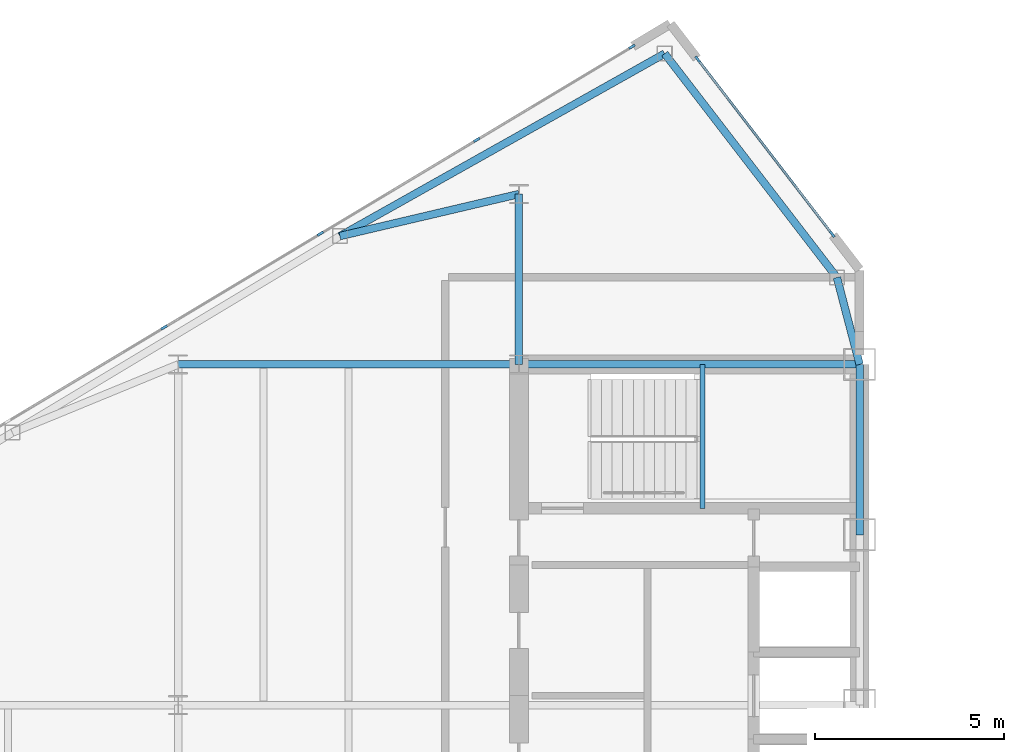
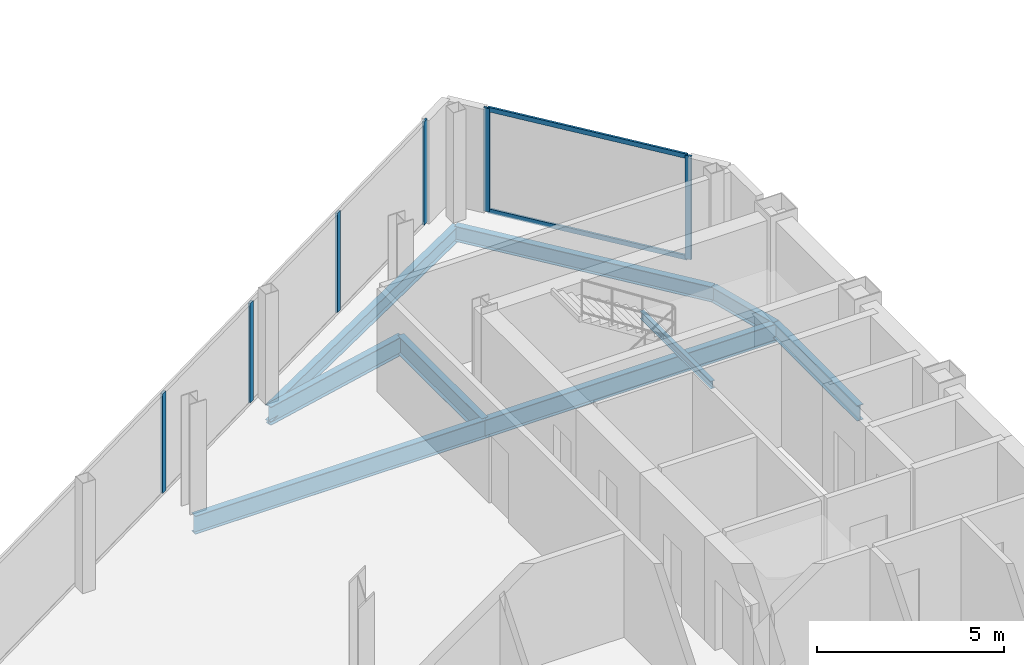
# One storey, part 10 of 25: 9 beams, 8 members, 2 elements without a shape of their own.
"""IFC4 building model written with IfcOpenShell, lengths in metres."""

from ifc_helpers import new_model, si_unit, direction, frame, origin, origin_2d, place, context, subcontext, project, spatial, rectangle, i_section, extrude, source, transform, mapped, material, layer, layer_set, material_profile, profile_set, type_object, type_shapes, element, aggregate, save


model = new_model("IFC4")

# Units and contexts
model_context = context("Model", 3, precision=1e-05, world=origin(), true_north=direction((0.0, 1.0)))
body_context = subcontext(model_context, "Body", "Model", "MODEL_VIEW")
ifc_project = project(units=[si_unit("LENGTHUNIT", "METRE"), si_unit("AREAUNIT", "SQUARE_METRE"), si_unit("VOLUMEUNIT", "CUBIC_METRE"), si_unit("PLANEANGLEUNIT", "RADIAN"), si_unit("MASSUNIT", "GRAM", prefix="KILO")], contexts=[model_context])

# Site, building, storey
site_placement = place(None, origin())
site = spatial("IfcSite", under=ifc_project, at=site_placement, CompositionType="ELEMENT")
building_placement = place(site_placement, origin())
building = spatial("IfcBuilding", under=site, at=building_placement, Name="Seokmaru Belvedere", CompositionType="ELEMENT")
storey_placement = place(building_placement, frame((0.0, 0.0, 210.300048828125)))
storey = spatial("IfcBuildingStorey", under=building, at=storey_placement, Name="L56", CompositionType="ELEMENT", Elevation=210.300048828125)

# Beams
ifc_material_1 = material(Name="Steel SM355 (355 MPa)", Category="steel")
ifc_material_profile_1 = material_profile(ifc_material_1, i_section(OverallWidth=0.199951171875, OverallDepth=0.5, WebThickness=0.010009765625, FlangeThickness=0.01611328125, at=origin_2d()), Name="H-500x200x10x16")
ifc_profile_set_1 = profile_set([ifc_material_profile_1], Name="Steel SM355 (355 MPa)")
beam_type_1 = type_object("IfcBeamType", Name="Perimeter Spandrel Beam H-500", PredefinedType="SPANDREL", material=ifc_profile_set_1)
shared_shape_1 = source(origin(), body_context, "Body", "SweptSolid", [
    extrude(i_section(OverallWidth=0.199951171875, OverallDepth=0.5, WebThickness=0.010009765625, FlangeThickness=0.01611328125, at=origin_2d()), origin(), (0.0, 0.0, 1.0), 4.5),
])
beam_1_placement = place(storey_placement, frame((-27.5, 9.0, -0.469970703125), z_axis=(0.0, 1.0, 0.0), x_axis=(-1.0, 0.0, 0.0)))
element("IfcBeam", 1, at=beam_1_placement, inside=storey, type_object=beam_type_1, Name="L56 W Portal Spine Spandrel 5", PredefinedType="SPANDREL", context=body_context, shape_type="MappedRepresentation", body=[
    mapped(shared_shape_1, transform((0.0, 0.0, 0.0), scale=1.0)),
])
ifc_material_profile_2 = material_profile(ifc_material_1, i_section(OverallWidth=0.199951171875, OverallDepth=0.60009765625, WebThickness=0.010986328125, FlangeThickness=0.01708984375, at=origin_2d()), Name="H-600x200x11x17")
ifc_profile_set_2 = profile_set([ifc_material_profile_2], Name="Steel SM355 (355 MPa)")
beam_type_2 = type_object("IfcBeamType", Name="Primary Floor Girder H-600", PredefinedType="BEAM", material=ifc_profile_set_2)
shared_shape_2 = source(origin(), body_context, "Body", "SweptSolid", [
    extrude(i_section(OverallWidth=0.199951171875, OverallDepth=0.60009765625, WebThickness=0.010986328125, FlangeThickness=0.01708984375, at=origin_2d()), origin(), (0.0, 0.0, 1.0), 9.0),
])
for number, where, z_axis, x_axis, name in (
    (2, (-36.5, 13.5, -0.52001953125), (1.0, 0.0, 0.0), (0.0, 1.0, 0.0), "L56 W Core Tie Girder 4"),
    (3, (-45.5, 13.5, -0.52001953125), (1.0, 0.0, 0.0), (0.0, 1.0, 0.0), "L56 W Wing Primary Girder 4"),
):
    element("IfcBeam", number, at=place(storey_placement, frame(where, z_axis=z_axis, x_axis=x_axis)), inside=storey, type_object=beam_type_2, Name=name, PredefinedType="BEAM", context=body_context, shape_type="MappedRepresentation", body=[
        mapped(shared_shape_2, transform((0.0, 0.0, 0.0), scale=1.0)),
    ])
shared_shape_3 = source(origin(), body_context, "Body", "SweptSolid", [
    extrude(i_section(OverallWidth=0.199951171875, OverallDepth=0.60009765625, WebThickness=0.010986328125, FlangeThickness=0.01708984375, at=origin_2d()), origin(), (0.0, 0.0, 1.0), 4.5),
])
beam_2_placement = place(storey_placement, frame((-36.5, 13.5, -0.52001953125), z_axis=(0.0, 1.0, 0.0), x_axis=(-1.0, 0.0, 0.0)))
element("IfcBeam", 4, at=beam_2_placement, inside=storey, type_object=beam_type_2, Name="L56 W Core Shoulder Girder N", PredefinedType="BEAM", context=body_context, shape_type="MappedRepresentation", body=[
    mapped(shared_shape_3, transform((0.0, 0.0, 0.0), scale=1.0)),
])
shared_shape_4 = source(origin(), body_context, "Body", "SweptSolid", [
    extrude(i_section(OverallWidth=0.199951171875, OverallDepth=0.5, WebThickness=0.010009765625, FlangeThickness=0.01611328125, at=origin_2d()), origin(), (0.0, 0.0, 1.0), 9.842041015625),
])
beam_3_placement = place(storey_placement, frame((-32.649658203125, 21.71044921875, -0.469970703125), z_axis=(-0.871782151818, -0.489893743349, 0.0), x_axis=(0.489893743349, -0.871782151818, 0.0)))
element("IfcBeam", 5, at=beam_3_placement, inside=storey, type_object=beam_type_1, Name="L56 W Faceted Flank Spandrel N-1", PredefinedType="SPANDREL", context=body_context, shape_type="MappedRepresentation", body=[
    mapped(shared_shape_4, transform((0.0, 0.0, 0.0), scale=1.0)),
])
shared_shape_5 = source(origin(), body_context, "Body", "SweptSolid", [
    extrude(i_section(OverallWidth=0.199951171875, OverallDepth=0.5, WebThickness=0.010009765625, FlangeThickness=0.01611328125, at=origin_2d()), origin(), (0.0, 0.0, 1.0), 7.4619140625),
])
beam_4_placement = place(storey_placement, frame((-32.649658203125, 21.71044921875, -0.469970703125), z_axis=(0.609702854945, -0.792630070507, 0.0), x_axis=(0.792630070507, 0.609702854945, 0.0)))
element("IfcBeam", 6, at=beam_4_placement, inside=storey, type_object=beam_type_1, Name="L56 W Shoulder Chamfer Spandrel N", PredefinedType="SPANDREL", context=body_context, shape_type="MappedRepresentation", body=[
    mapped(shared_shape_5, transform((0.0, 0.0, 0.0), scale=1.0)),
])
shared_shape_6 = source(origin(), body_context, "Body", "SweptSolid", [
    extrude(i_section(OverallWidth=0.199951171875, OverallDepth=0.5, WebThickness=0.010009765625, FlangeThickness=0.01611328125, at=origin_2d()), origin(), (0.0, 0.0, 1.0), 2.373046875),
])
type_shapes(beam_type_1, [shared_shape_1, shared_shape_4, shared_shape_5, shared_shape_6])
beam_5_placement = place(storey_placement, frame((-28.10009765625, 15.7958984375, -0.469970703125), z_axis=(0.252882558842, -0.967496982648, 0.0), x_axis=(0.967496982648, 0.252882558842, 0.0)))
element("IfcBeam", 7, at=beam_5_placement, inside=storey, type_object=beam_type_1, Name="L56 W Shoulder Spine Spandrel N", PredefinedType="SPANDREL", context=body_context, shape_type="MappedRepresentation", body=[
    mapped(shared_shape_6, transform((0.0, 0.0, 0.0), scale=1.0)),
])
shared_shape_7 = source(origin(), body_context, "Body", "SweptSolid", [
    extrude(i_section(OverallWidth=0.199951171875, OverallDepth=0.60009765625, WebThickness=0.010986328125, FlangeThickness=0.01708984375, at=origin_2d()), origin(), (0.0, 0.0, 1.0), 4.8583984375),
])
type_shapes(beam_type_2, [shared_shape_2, shared_shape_3, shared_shape_7])
beam_6_placement = place(storey_placement, frame((-41.229736328125, 16.888916015625, -0.52001953125), z_axis=(0.97349948295, 0.228689214211, 0.0), x_axis=(-0.228689214211, 0.97349948295, 0.0)))
element("IfcBeam", 8, at=beam_6_placement, inside=storey, type_object=beam_type_2, Name="L56 W Flank Radial Floor Girder N-1", PredefinedType="BEAM", context=body_context, shape_type="MappedRepresentation", body=[
    mapped(shared_shape_7, transform((0.0, 0.0, 0.0), scale=1.0)),
])

# Curtain wall, members
ifc_material_2 = material(Name="Bronze Triple Insulating Glass", Category="glass")
ifc_layer = layer(ifc_material_2, 0.179931640625)
ifc_layer_set = layer_set([ifc_layer], Name="Bronze Triple Insulating Glass")
curtain_wall_type = type_object("IfcCurtainWallType", Name="High-Rise Wind-Corner Curtain Wall System CW-5", PredefinedType="NOTDEFINED", material=ifc_layer_set)
curtain_wall_1_placement = place(storey_placement, origin())
curtain_wall_1 = element("IfcCurtainWall", 9, at=curtain_wall_1_placement, inside=storey, type_object=curtain_wall_type, Name="L56 Curtain Wall WF2", PredefinedType="NOTDEFINED")
ifc_material_3 = material(Name="Anodised Bronze Aluminium", Category="aluminium")
ifc_material_profile_3 = material_profile(ifc_material_3, rectangle(XDim=0.06494140625, YDim=0.179931640625, at=origin_2d()), Name="CW-M-65x180")
ifc_profile_set_3 = profile_set([ifc_material_profile_3], Name="Anodised Bronze Aluminium")
member_type_1 = type_object("IfcMemberType", Name="Bronze Unitised Mullion 65x180", PredefinedType="MULLION", material=ifc_profile_set_3)
shared_shape_8 = source(origin(), body_context, "Body", "SweptSolid", [
    extrude(rectangle(XDim=0.06494140625, YDim=0.179931640625, at=origin_2d()), origin(), (0.0, 0.0, 1.0), 3.3798828125),
])
member_1_placement = place(storey_placement, frame((-28.220947265625, 16.937255859375, 0.0), z_axis=(0.0, 0.0, 1.0), x_axis=(-0.792631353244, -0.609701187349, 0.0)))
member_1 = element("IfcMember", 10, at=member_1_placement, type_object=member_type_1, Name="CW:L56:WF2 Mullion 1", PredefinedType="MULLION", context=body_context, shape_type="MappedRepresentation", body=[
    mapped(shared_shape_8, transform((0.0, 0.0, 0.0), scale=1.0)),
])
member_2_placement = place(storey_placement, frame((-31.779052734375, 21.562744140625, 0.0), z_axis=(0.0, 0.0, 1.0), x_axis=(-0.792631353244, -0.609701187349, 0.0)))
member_2 = element("IfcMember", 11, at=member_2_placement, type_object=member_type_1, Name="CW:L56:WF2 Mullion 2", PredefinedType="MULLION", context=body_context, shape_type="MappedRepresentation", body=[
    mapped(shared_shape_8, transform((0.0, 0.0, 0.0), scale=1.0)),
])

curtain_wall_2_placement = place(storey_placement, origin())
curtain_wall_2 = element("IfcCurtainWall", 12, at=curtain_wall_2_placement, inside=storey, type_object=curtain_wall_type, Name="L56 Curtain Wall WF3", PredefinedType="NOTDEFINED")
member_3_placement = place(storey_placement, frame((-33.513916015625, 21.8916015625, 0.0), z_axis=(0.0, 0.0, 1.0), x_axis=(0.514494909364, -0.85749343335, 0.0)))
member_3 = element("IfcMember", 13, at=member_3_placement, type_object=member_type_1, Name="CW:L56:WF3 Mullion 1", PredefinedType="MULLION", context=body_context, shape_type="MappedRepresentation", body=[
    mapped(shared_shape_8, transform((0.0, 0.0, 0.0), scale=1.0)),
])
shared_shape_9 = source(origin(), body_context, "Body", "SweptSolid", [
    extrude(rectangle(XDim=0.06494140625, YDim=0.179931640625, at=origin_2d()), origin(), (0.0, 0.0, 1.0), 3.25),
])
type_shapes(member_type_1, [shared_shape_8, shared_shape_9])
member_4_placement = place(storey_placement, frame((-37.614501953125, 19.43115234375, 0.06494140625), z_axis=(0.0, 0.0, 1.0), x_axis=(0.514494909364, -0.85749343335, 0.0)))
member_4 = element("IfcMember", 14, at=member_4_placement, type_object=member_type_1, Name="CW:L56:WF3 Mullion 2", PredefinedType="MULLION", context=body_context, shape_type="MappedRepresentation", body=[
    mapped(shared_shape_9, transform((0.0, 0.0, 0.0), scale=1.0)),
])
member_5_placement = place(storey_placement, frame((-41.7431640625, 16.9541015625, 0.06494140625), z_axis=(0.0, 0.0, 1.0), x_axis=(0.514494909364, -0.85749343335, 0.0)))
member_5 = element("IfcMember", 15, at=member_5_placement, type_object=member_type_1, Name="CW:L56:WF3 Mullion 3", PredefinedType="MULLION", context=body_context, shape_type="MappedRepresentation", body=[
    mapped(shared_shape_9, transform((0.0, 0.0, 0.0), scale=1.0)),
])
member_6_placement = place(storey_placement, frame((-45.87158203125, 14.47705078125, 0.06494140625), z_axis=(0.0, 0.0, 1.0), x_axis=(0.514494909364, -0.85749343335, 0.0)))
member_6 = element("IfcMember", 16, at=member_6_placement, type_object=member_type_1, Name="CW:L56:WF3 Mullion 4", PredefinedType="MULLION", context=body_context, shape_type="MappedRepresentation", body=[
    mapped(shared_shape_9, transform((0.0, 0.0, 0.0), scale=1.0)),
])
aggregate(curtain_wall_2, [member_3, member_4, member_5, member_6])

# Member
ifc_material_profile_4 = material_profile(ifc_material_3, rectangle(XDim=0.06494140625, YDim=0.14990234375, at=origin_2d()), Name="CW-T-65x150")
ifc_profile_set_4 = profile_set([ifc_material_profile_4], Name="Anodised Bronze Aluminium")
member_type_2 = type_object("IfcMemberType", Name="Bronze Unitised Transom 65x150", PredefinedType="USERDEFINED", material=ifc_profile_set_4)
shared_shape_10 = source(origin(), body_context, "Body", "SweptSolid", [
    extrude(rectangle(XDim=0.06494140625, YDim=0.14990234375, at=origin_2d()), origin(), (0.0, 0.0, 1.0), 5.77099609375),
])
type_shapes(member_type_2, [shared_shape_10])
member_7_placement = place(storey_placement, frame((-28.24072265625, 16.962890625, 0.032470703125), z_axis=(-0.60970258286, 0.792630279799, 0.0), x_axis=(-0.792630279799, -0.60970258286, 0.0)))
member_7 = element("IfcMember", 17, at=member_7_placement, type_object=member_type_2, Name="CW:L56:WF2 Continuous Transom 1", ObjectType="TRANSOM", PredefinedType="USERDEFINED", context=body_context, shape_type="MappedRepresentation", body=[
    mapped(shared_shape_10, transform((0.0, 0.0, 0.0), scale=1.0)),
])

member_8_placement = place(storey_placement, frame((-28.24072265625, 16.962890625, 3.347412109375), z_axis=(-0.60970258286, 0.792630279799, 0.0), x_axis=(-0.792630279799, -0.60970258286, 0.0)))
member_8 = element("IfcMember", 18, at=member_8_placement, type_object=member_type_2, Name="CW:L56:WF2 Continuous Transom 2", ObjectType="TRANSOM", PredefinedType="USERDEFINED", context=body_context, shape_type="MappedRepresentation", body=[
    mapped(shared_shape_10, transform((0.0, 0.0, 0.0), scale=1.0)),
])

aggregate(curtain_wall_1, [member_1, member_2, member_7, member_8])

# Beam
ifc_material_profile_5 = material_profile(ifc_material_1, i_section(OverallWidth=0.125, OverallDepth=0.25, WebThickness=0.006103515625, FlangeThickness=0.009033203125, at=origin_2d()), Name="H-250x125x6x9")
ifc_profile_set_5 = profile_set([ifc_material_profile_5], Name="Steel SM355 (355 MPa)")
beam_type_3 = type_object("IfcBeamType", Name="Stair Mid-Landing Support Beam H-250", PredefinedType="JOIST", material=ifc_profile_set_5)
shared_shape_11 = source(origin(), body_context, "Body", "SweptSolid", [
    extrude(i_section(OverallWidth=0.125, OverallDepth=0.25, WebThickness=0.006103515625, FlangeThickness=0.009033203125, at=origin_2d()), origin(), (0.0, 0.0, 1.0), 3.800048828125),
])
type_shapes(beam_type_3, [shared_shape_11])
beam_7_placement = place(storey_placement, frame((-31.64990234375, 9.699951171875, 1.474853515625), z_axis=(0.0, 1.0, 0.0), x_axis=(-1.0, 0.0, 0.0)))
element("IfcBeam", 19, at=beam_7_placement, inside=storey, type_object=beam_type_3, Name="L56 Stair ST-W2 Mid-Landing Support Beam 1", PredefinedType="JOIST", context=body_context, shape_type="MappedRepresentation", body=[
    mapped(shared_shape_11, transform((0.0, 0.0, 0.0), scale=1.0)),
])

save(model, "model.ifc")
